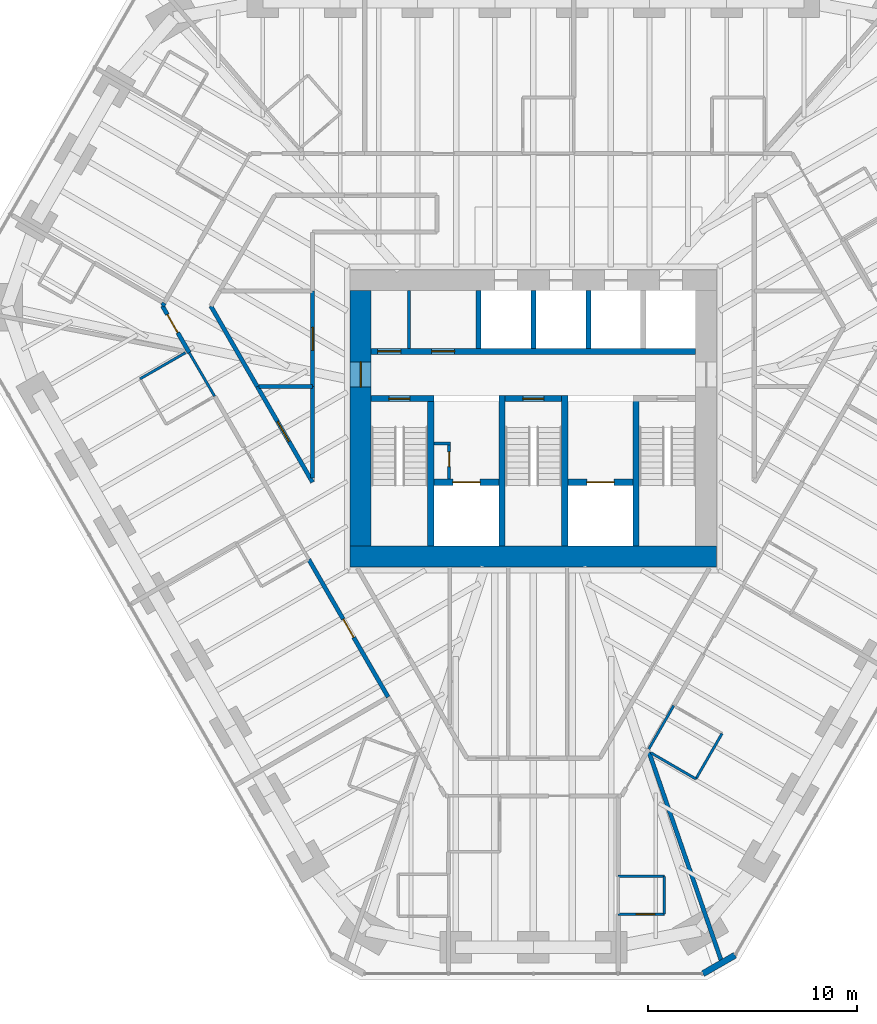
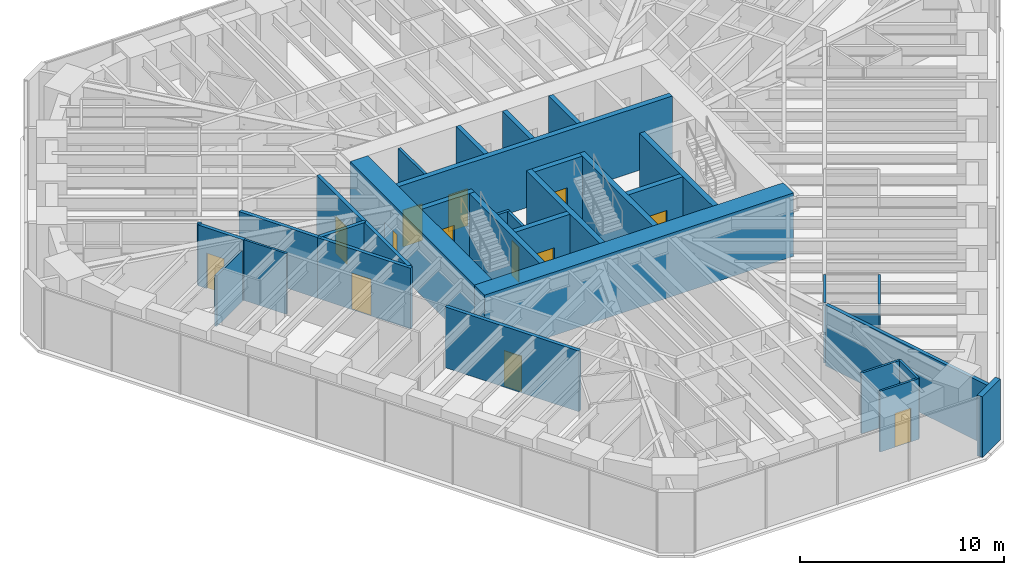
# One storey, part 12 of 16: 35 walls, 13 doors, 13 openings.
"""IFC4 building model written with IfcOpenShell, lengths in metres."""

from ifc_helpers import new_model, si_unit, direction, frame, frame_2d, origin, place, context, subcontext, project, spatial, rectangle, extrude, material, layer, layer_set, type_object, element, fill, save


model = new_model("IFC4")

# Units and contexts
model_context = context("Model", 3, precision=1e-05, world=origin(), true_north=direction((0.0, 1.0)))
body_context = subcontext(model_context, "Body", "Model", "MODEL_VIEW")
ifc_project = project(units=[si_unit("LENGTHUNIT", "METRE"), si_unit("AREAUNIT", "SQUARE_METRE"), si_unit("VOLUMEUNIT", "CUBIC_METRE"), si_unit("PLANEANGLEUNIT", "RADIAN"), si_unit("MASSUNIT", "GRAM", prefix="KILO")], contexts=[model_context])

# Site, building, storey
site_placement = place(None, origin())
site = spatial("IfcSite", under=ifc_project, at=site_placement, CompositionType="ELEMENT")
building_placement = place(site_placement, origin())
building = spatial("IfcBuilding", under=site, at=building_placement, Name="Sandreach Pilgrim Tower", CompositionType="ELEMENT")
storey_placement = place(building_placement, frame((0.0, 0.0, 209.800048828125)))
storey = spatial("IfcBuildingStorey", under=building, at=storey_placement, Name="L52", CompositionType="ELEMENT", Elevation=209.800048828125)

# Walls
ifc_material_1 = material(Name="Gypsum board on steel studs", Category="steel")
ifc_layer_1 = layer(ifc_material_1, 0.14990234375)
ifc_layer_set_1 = layer_set([ifc_layer_1], Name="Back of house wall 150")
wall_type_1 = type_object("IfcWallType", Name="Back of house wall 150", PredefinedType="PARTITIONING", material=ifc_layer_set_1)
wall_1_placement = place(storey_placement, frame((-5.949951171875, 3.35009765625, 0.0), z_axis=(0.0, 0.0, 1.0), x_axis=(0.0, 1.0, 0.0)))
element("IfcWall", 1, at=wall_1_placement, inside=storey, type_object=wall_type_1, Name="Core room partition L52 1", PredefinedType="PARTITIONING", context=body_context, shape_type="SweptSolid", body=[
    extrude(rectangle(XDim=2.75, YDim=0.14990234375, at=frame_2d((1.375, 0.0))), origin(), (0.0, 0.0, 1.0), 3.639892578125),
])
ifc_material_2 = material(Name="Moisture-resistant gypsum board on steel studs", Category="steel")
ifc_layer_2 = layer(ifc_material_2, 0.1201171875)
ifc_layer_set_2 = layer_set([ifc_layer_2], Name="Bathroom partition 120")
wall_type_2 = type_object("IfcWallType", Name="Bathroom partition 120", PredefinedType="PARTITIONING", material=ifc_layer_set_2)
wall_2_placement = place(storey_placement, frame((-16.623779296875, 3.1376953125, 0.0), z_axis=(0.0, 0.0, 1.0), x_axis=(-0.866525185869, -0.499133351175, 0.0)))
element("IfcWall", 2, at=wall_2_placement, inside=storey, type_object=wall_type_2, Name="Bathroom partition L52-020", PredefinedType="PARTITIONING", context=body_context, shape_type="SweptSolid", body=[
    extrude(rectangle(XDim=2.5, YDim=0.1201171875, at=frame_2d((1.25, 0.0))), origin(), (0.0, 0.0, 1.0), 3.0380859375),
])
wall_3_placement = place(storey_placement, frame((-16.43994140625, 3.139892578125, 0.0), z_axis=(0.0, 0.0, 1.0), x_axis=(0.502854986947, -0.864370789709, 0.0)))
element("IfcWall", 3, at=wall_3_placement, inside=storey, type_object=wall_type_2, Name="Bathroom partition L52-022", PredefinedType="PARTITIONING", context=body_context, shape_type="SweptSolid", body=[
    extrude(rectangle(XDim=2.40625, YDim=0.1201171875, at=frame_2d((1.203125, 0.0))), origin(), (0.0, 0.0, 1.0), 3.639892578125),
])

# Wall, opening, door
wall_4_placement = place(storey_placement, frame((4.050048828125, -23.679931640625, 0.0), z_axis=(0.0, 0.0, 1.0), x_axis=(1.0, 0.0, 0.0)))
wall_4 = element("IfcWall", 4, at=wall_4_placement, inside=storey, type_object=wall_type_2, Name="Bathroom partition L52-091", PredefinedType="PARTITIONING", context=body_context, shape_type="SweptSolid", body=[
    extrude(rectangle(XDim=2.199951171875, YDim=0.1201171875, at=frame_2d((1.10009765625, 0.0))), origin(), (0.0, 0.0, 1.0), 3.639892578125),
])
opening_1_placement = place(wall_4_placement, frame((0.85009765625, 0.0, 0.0)))
opening_1 = element("IfcOpeningElement", 5, at=opening_1_placement, cuts=wall_4, Name="Opening D09-09B", PredefinedType="OPENING", context=body_context, shape_type="SweptSolid", body=[
    extrude(rectangle(XDim=0.89990234375, YDim=2.030029296875, at=frame_2d((0.449951171875, 1.01513671875))), frame((0.0, 0.06005859375, 0.0), z_axis=(0.0, -1.0, 0.0), x_axis=(1.0, 0.0, 0.0)), (0.0, 0.0, 1.0), 0.1201171875),
])
ifc_material_3 = material(Name="Timber door, steel frame", Category="steel")
door_type_1 = type_object("IfcDoorType", Name="Bathroom door", OperationType="SINGLE_SWING_LEFT", PredefinedType="DOOR", material=ifc_material_3)
door_1_placement = place(opening_1_placement, origin())
door_1 = element("IfcDoor", 6, at=door_1_placement, inside=storey, type_object=door_type_1, Name="Door 5209B", OperationType="SINGLE_SWING_RIGHT", OverallHeight=2.030029296875, OverallWidth=0.89990234375, PredefinedType="DOOR", context=body_context, shape_type="SweptSolid", body=[
    extrude(rectangle(XDim=0.89990234375, YDim=2.030029296875, at=frame_2d((0.449951171875, 1.01513671875))), frame((0.0, 0.02490234375, 0.0), z_axis=(0.0, -1.0, 0.0), x_axis=(1.0, 0.0, 0.0)), (0.0, 0.0, 1.0), 0.050048828125),
])
fill(opening_1, door_1)

# Walls
wall_5_placement = place(storey_placement, frame((5.510009765625, -15.7900390625, 0.0), z_axis=(0.0, 0.0, 1.0), x_axis=(0.49836161924, 0.866969259241, 0.0)))
element("IfcWall", 7, at=wall_5_placement, inside=storey, type_object=wall_type_2, Name="Bathroom partition L52-095", PredefinedType="PARTITIONING", context=body_context, shape_type="SweptSolid", body=[
    extrude(rectangle(XDim=2.3876953125, YDim=0.1201171875, at=frame_2d((1.19384765625, 0.0))), origin(), (0.0, 0.0, 1.0), 3.639892578125),
])
wall_6_placement = place(storey_placement, frame((5.615234375, -15.97509765625, 0.0), z_axis=(0.0, 0.0, 1.0), x_axis=(0.864873056518, -0.501990633487, 0.0)))
element("IfcWall", 8, at=wall_6_placement, inside=storey, type_object=wall_type_2, Name="Bathroom partition L52-097", PredefinedType="PARTITIONING", context=body_context, shape_type="SweptSolid", body=[
    extrude(rectangle(XDim=2.47998046875, YDim=0.1201171875, at=frame_2d((1.239990234375, 0.0))), origin(), (0.0, 0.0, 1.0), 3.0380859375),
])
wall_7_placement = place(storey_placement, frame((6.25, -23.679931640625, 0.0), z_axis=(0.0, 0.0, 1.0), x_axis=(0.0, 1.0, 0.0)))
element("IfcWall", 9, at=wall_7_placement, inside=storey, type_object=wall_type_2, Name="Bathroom partition L52-098", PredefinedType="PARTITIONING", context=body_context, shape_type="SweptSolid", body=[
    extrude(rectangle(XDim=1.809814453125, YDim=0.1201171875, at=frame_2d((0.90478515625, 0.0))), origin(), (0.0, 0.0, 1.0), 3.639892578125),
])
wall_8_placement = place(storey_placement, frame((6.25, -21.8701171875, 0.0), z_axis=(0.0, 0.0, 1.0), x_axis=(-1.0, 0.0, 0.0)))
element("IfcWall", 10, at=wall_8_placement, inside=storey, type_object=wall_type_2, Name="Bathroom partition L52-099", PredefinedType="PARTITIONING", context=body_context, shape_type="SweptSolid", body=[
    extrude(rectangle(XDim=2.199951171875, YDim=0.1201171875, at=frame_2d((1.10009765625, 0.0))), origin(), (0.0, 0.0, 1.0), 3.639892578125),
])
wall_9_placement = place(storey_placement, frame((7.760009765625, -17.219970703125, 0.0), z_axis=(0.0, 0.0, 1.0), x_axis=(0.499159685399, 0.866510016372, 0.0)))
element("IfcWall", 11, at=wall_9_placement, inside=storey, type_object=wall_type_2, Name="Bathroom partition L52-101", PredefinedType="PARTITIONING", context=body_context, shape_type="SweptSolid", body=[
    extrude(rectangle(XDim=2.504150390625, YDim=0.1201171875, at=frame_2d((1.251953125, 0.0))), origin(), (0.0, 0.0, 1.0), 3.639892578125),
])
ifc_material_4 = material(Name="Concrete 10000 psi", Category="concrete")
ifc_layer_3 = layer(ifc_material_4, 0.300048828125)
ifc_layer_set_3 = layer_set([ifc_layer_3], Name="Core inner wall 300")
wall_type_3 = type_object("IfcWallType", Name="Core inner wall 300", PredefinedType="SHEAR", material=ifc_layer_set_3)
for number, where, z_axis, x_axis, name in (
    (12, (-4.89990234375, -6.10009765625, 0.0), (0.0, 0.0, 1.0), (0.0, 1.0, 0.0), "Core wall I0 L52"),
    (13, (-1.5, -6.10009765625, 0.0), (0.0, 0.0, 1.0), (0.0, 1.0, 0.0), "Core wall I1 L52"),
    (14, (1.5, -6.10009765625, 0.0), (0.0, 0.0, 1.0), (0.0, 1.0, 0.0), "Core wall I2 L52"),
    (15, (4.89990234375, -6.10009765625, 0.0), (0.0, 0.0, 1.0), (0.0, 1.0, 0.0), "Core wall I3 L52"),
):
    element("IfcWall", number, at=place(storey_placement, frame(where, z_axis=z_axis, x_axis=x_axis)), inside=storey, type_object=wall_type_3, Name=name, PredefinedType="SHEAR", context=body_context, shape_type="SweptSolid", body=[
        extrude(rectangle(XDim=7.2001953125, YDim=0.300048828125, at=frame_2d((3.60009765625, 0.0))), origin(), (0.0, 0.0, 1.0), 3.800048828125),
    ])

# Wall, opening, door
wall_10_placement = place(storey_placement, frame((-7.75, 0.949951171875, 0.0), z_axis=(0.0, 0.0, 1.0), x_axis=(1.0, 0.0, 0.0)))
wall_10 = element("IfcWall", 16, at=wall_10_placement, inside=storey, type_object=wall_type_3, Name="Core wall SN1 L52", PredefinedType="SHEAR", context=body_context, shape_type="SweptSolid", body=[
    extrude(rectangle(XDim=3.0, YDim=0.300048828125, at=frame_2d((1.5, 0.0))), origin(), (0.0, 0.0, 1.0), 3.800048828125),
])
opening_2_placement = place(wall_10_placement, frame((0.85009765625, 0.0, 0.0)))
opening_2 = element("IfcOpeningElement", 17, at=opening_2_placement, cuts=wall_10, Name="Opening D10S-ST1", PredefinedType="OPENING", context=body_context, shape_type="SweptSolid", body=[
    extrude(rectangle(XDim=1.0, YDim=2.199951171875, at=frame_2d((0.5, 1.10009765625))), frame((0.0, 0.14990234375, 0.0), z_axis=(0.0, -1.0, 0.0), x_axis=(1.0, 0.0, 0.0)), (0.0, 0.0, 1.0), 0.300048828125),
])
ifc_material_5 = material(Name="Steel door and frame", Category="steel")
door_type_2 = type_object("IfcDoorType", Name="Stair door", OperationType="SINGLE_SWING_LEFT", PredefinedType="DOOR", material=ifc_material_5)
door_2_placement = place(opening_2_placement, origin())
door_2 = element("IfcDoor", 18, at=door_2_placement, inside=storey, type_object=door_type_2, Name="Stair door ST1 L52", OperationType="SINGLE_SWING_LEFT", OverallHeight=2.199951171875, OverallWidth=1.0, PredefinedType="DOOR", context=body_context, shape_type="SweptSolid", body=[
    extrude(rectangle(XDim=1.0, YDim=2.199951171875, at=frame_2d((0.5, 1.10009765625))), frame((0.0, 0.02490234375, 0.0), z_axis=(0.0, -1.0, 0.0), x_axis=(1.0, 0.0, 0.0)), (0.0, 0.0, 1.0), 0.050048828125),
])
fill(opening_2, door_2)

wall_11_placement = place(storey_placement, frame((-1.35009765625, 0.949951171875, 0.0), z_axis=(0.0, 0.0, 1.0), x_axis=(1.0, 0.0, 0.0)))
wall_11 = element("IfcWall", 19, at=wall_11_placement, inside=storey, type_object=wall_type_3, Name="Core wall SN3 L52", PredefinedType="SHEAR", context=body_context, shape_type="SweptSolid", body=[
    extrude(rectangle(XDim=2.7001953125, YDim=0.300048828125, at=frame_2d((1.35009765625, 0.0))), origin(), (0.0, 0.0, 1.0), 3.800048828125),
])
opening_3_placement = place(wall_11_placement, frame((0.85009765625, 0.0, 0.0)))
opening_3 = element("IfcOpeningElement", 20, at=opening_3_placement, cuts=wall_11, Name="Opening D10S-ST3", PredefinedType="OPENING", context=body_context, shape_type="SweptSolid", body=[
    extrude(rectangle(XDim=1.0, YDim=2.199951171875, at=frame_2d((0.5, 1.10009765625))), frame((0.0, 0.14990234375, 0.0), z_axis=(0.0, -1.0, 0.0), x_axis=(1.0, 0.0, 0.0)), (0.0, 0.0, 1.0), 0.300048828125),
])
door_3_placement = place(opening_3_placement, origin())
door_3 = element("IfcDoor", 21, at=door_3_placement, inside=storey, type_object=door_type_2, Name="Stair door ST3 L52", OperationType="SINGLE_SWING_LEFT", OverallHeight=2.199951171875, OverallWidth=1.0, PredefinedType="DOOR", context=body_context, shape_type="SweptSolid", body=[
    extrude(rectangle(XDim=1.0, YDim=2.199951171875, at=frame_2d((0.5, 1.10009765625))), frame((0.0, 0.02490234375, 0.0), z_axis=(0.0, -1.0, 0.0), x_axis=(1.0, 0.0, 0.0)), (0.0, 0.0, 1.0), 0.050048828125),
])
fill(opening_3, door_3)

wall_12_placement = place(storey_placement, frame((-4.75, -3.050048828125, 0.0), z_axis=(0.0, 0.0, 1.0), x_axis=(1.0, 0.0, 0.0)))
wall_12 = element("IfcWall", 22, at=wall_12_placement, inside=storey, type_object=wall_type_3, Name="Core wall FL1 L52", PredefinedType="SHEAR", context=body_context, shape_type="SweptSolid", body=[
    extrude(rectangle(XDim=3.10009765625, YDim=0.300048828125, at=frame_2d((1.550048828125, 0.0))), origin(), (0.0, 0.0, 1.0), 3.800048828125),
])
opening_4_placement = place(wall_12_placement, frame((0.89990234375, 0.0, 0.0)))
opening_4 = element("IfcOpeningElement", 23, at=opening_4_placement, cuts=wall_12, Name="Opening LD13", PredefinedType="OPENING", context=body_context, shape_type="SweptSolid", body=[
    extrude(rectangle(XDim=1.300048828125, YDim=2.10009765625, at=frame_2d((0.64990234375, 1.050048828125))), frame((0.0, 0.14990234375, 0.0), z_axis=(0.0, -1.0, 0.0), x_axis=(1.0, 0.0, 0.0)), (0.0, 0.0, 1.0), 0.300048828125),
])
ifc_material_6 = material(Name="Steel door and frame", Category="steel")
door_type_3 = type_object("IfcDoorType", Name="Fire service lift landing door", OperationType="DOUBLE_DOOR_SLIDING", PredefinedType="DOOR", material=ifc_material_6)
door_4_placement = place(opening_4_placement, origin())
door_4 = element("IfcDoor", 24, at=door_4_placement, inside=storey, type_object=door_type_3, Name="Lift landing door FS1 L52", OperationType="DOUBLE_DOOR_SLIDING", OverallHeight=2.10009765625, OverallWidth=1.300048828125, PredefinedType="DOOR", context=body_context, shape_type="SweptSolid", body=[
    extrude(rectangle(XDim=1.300048828125, YDim=2.10009765625, at=frame_2d((0.64990234375, 1.050048828125))), frame((0.0, 0.02490234375, 0.0), z_axis=(0.0, -1.0, 0.0), x_axis=(1.0, 0.0, 0.0)), (0.0, 0.0, 1.0), 0.050048828125),
])
fill(opening_4, door_4)

wall_13_placement = place(storey_placement, frame((1.64990234375, -3.050048828125, 0.0), z_axis=(0.0, 0.0, 1.0), x_axis=(1.0, 0.0, 0.0)))
wall_13 = element("IfcWall", 25, at=wall_13_placement, inside=storey, type_object=wall_type_3, Name="Core wall FL2 L52", PredefinedType="SHEAR", context=body_context, shape_type="SweptSolid", body=[
    extrude(rectangle(XDim=3.10009765625, YDim=0.300048828125, at=frame_2d((1.550048828125, 0.0))), origin(), (0.0, 0.0, 1.0), 3.800048828125),
])
opening_5_placement = place(wall_13_placement, frame((0.89990234375, 0.0, 0.0)))
opening_5 = element("IfcOpeningElement", 26, at=opening_5_placement, cuts=wall_13, Name="Opening LD13", PredefinedType="OPENING", context=body_context, shape_type="SweptSolid", body=[
    extrude(rectangle(XDim=1.300048828125, YDim=2.10009765625, at=frame_2d((0.64990234375, 1.050048828125))), frame((0.0, 0.14990234375, 0.0), z_axis=(0.0, -1.0, 0.0), x_axis=(1.0, 0.0, 0.0)), (0.0, 0.0, 1.0), 0.300048828125),
])
door_5_placement = place(opening_5_placement, origin())
door_5 = element("IfcDoor", 27, at=door_5_placement, inside=storey, type_object=door_type_3, Name="Lift landing door FS2 L52", OperationType="DOUBLE_DOOR_SLIDING", OverallHeight=2.10009765625, OverallWidth=1.300048828125, PredefinedType="DOOR", context=body_context, shape_type="SweptSolid", body=[
    extrude(rectangle(XDim=1.300048828125, YDim=2.10009765625, at=frame_2d((0.64990234375, 1.050048828125))), frame((0.0, 0.02490234375, 0.0), z_axis=(0.0, -1.0, 0.0), x_axis=(1.0, 0.0, 0.0)), (0.0, 0.0, 1.0), 0.050048828125),
])
fill(opening_5, door_5)

# Wall, openings, doors
wall_14_placement = place(storey_placement, frame((-7.75, 3.199951171875, 0.0), z_axis=(0.0, 0.0, 1.0), x_axis=(1.0, 0.0, 0.0)))
wall_14 = element("IfcWall", 28, at=wall_14_placement, inside=storey, type_object=wall_type_3, Name="Core wall PN L52", PredefinedType="SHEAR", context=body_context, shape_type="SweptSolid", body=[
    extrude(rectangle(XDim=15.5, YDim=0.300048828125, at=frame_2d((7.75, 0.0))), origin(), (0.0, 0.0, 1.0), 3.800048828125),
])
opening_6_placement = place(wall_14_placement, frame((0.3125, 0.0, 0.0)))
opening_6 = element("IfcOpeningElement", 29, at=opening_6_placement, cuts=wall_14, Name="Opening D11L", PredefinedType="OPENING", context=body_context, shape_type="SweptSolid", body=[
    extrude(rectangle(XDim=1.10009765625, YDim=2.199951171875, at=frame_2d((0.550048828125, 1.10009765625))), frame((0.0, 0.14990234375, 0.0), z_axis=(0.0, -1.0, 0.0), x_axis=(1.0, 0.0, 0.0)), (0.0, 0.0, 1.0), 0.300048828125),
])
opening_7_placement = place(wall_14_placement, frame((2.887451171875, 0.0, 0.0)))
opening_7 = element("IfcOpeningElement", 30, at=opening_7_placement, cuts=wall_14, Name="Opening D11L", PredefinedType="OPENING", context=body_context, shape_type="SweptSolid", body=[
    extrude(rectangle(XDim=1.10009765625, YDim=2.199951171875, at=frame_2d((0.550048828125, 1.10009765625))), frame((0.0, 0.14990234375, 0.0), z_axis=(0.0, -1.0, 0.0), x_axis=(1.0, 0.0, 0.0)), (0.0, 0.0, 1.0), 0.300048828125),
])
ifc_material_7 = material(Name="Steel door and frame, smoke seals", Category="steel")
door_type_4 = type_object("IfcDoorType", Name="Core room door", OperationType="SINGLE_SWING_LEFT", PredefinedType="DOOR", material=ifc_material_7)
door_6_placement = place(opening_6_placement, origin())
door_6 = element("IfcDoor", 31, at=door_6_placement, inside=storey, type_object=door_type_4, Name="Door linen and housekeeping store 52K1", OperationType="SINGLE_SWING_LEFT", OverallHeight=2.199951171875, OverallWidth=1.10009765625, PredefinedType="DOOR", context=body_context, shape_type="SweptSolid", body=[
    extrude(rectangle(XDim=1.10009765625, YDim=2.199951171875, at=frame_2d((0.550048828125, 1.10009765625))), frame((0.0, 0.02490234375, 0.0), z_axis=(0.0, -1.0, 0.0), x_axis=(1.0, 0.0, 0.0)), (0.0, 0.0, 1.0), 0.050048828125),
])
fill(opening_6, door_6)
door_7_placement = place(opening_7_placement, origin())
door_7 = element("IfcDoor", 32, at=door_7_placement, inside=storey, type_object=door_type_4, Name="Door cleaners store 52K2", OperationType="SINGLE_SWING_LEFT", OverallHeight=2.199951171875, OverallWidth=1.10009765625, PredefinedType="DOOR", context=body_context, shape_type="SweptSolid", body=[
    extrude(rectangle(XDim=1.10009765625, YDim=2.199951171875, at=frame_2d((0.550048828125, 1.10009765625))), frame((0.0, 0.02490234375, 0.0), z_axis=(0.0, -1.0, 0.0), x_axis=(1.0, 0.0, 0.0)), (0.0, 0.0, 1.0), 0.050048828125),
])
fill(opening_7, door_7)

# Wall
ifc_material_8 = material(Name="Concrete 10000 psi", Category="concrete")
ifc_layer_4 = layer(ifc_material_8, 1.0)
ifc_layer_set_4 = layer_set([ifc_layer_4], Name="Core wall 1000")
wall_type_4 = type_object("IfcWallType", Name="Core wall 1000", PredefinedType="SHEAR", material=ifc_layer_set_4)
wall_15_placement = place(storey_placement, frame((-8.75, -6.60009765625, 0.0), z_axis=(0.0, 0.0, 1.0), x_axis=(1.0, 0.0, 0.0)))
element("IfcWall", 33, at=wall_15_placement, inside=storey, type_object=wall_type_4, Name="Core wall S L52", PredefinedType="SHEAR", context=body_context, shape_type="SweptSolid", body=[
    extrude(rectangle(XDim=17.5, YDim=1.0, at=frame_2d((8.75, 0.0))), origin(), (0.0, 0.0, 1.0), 3.800048828125),
])

# Wall, opening, door
wall_16_placement = place(storey_placement, frame((-8.25, -6.10009765625, 0.0), z_axis=(0.0, 0.0, 1.0), x_axis=(0.0, 1.0, 0.0)))
wall_16 = element("IfcWall", 34, at=wall_16_placement, inside=storey, type_object=wall_type_4, Name="Core wall W L52", PredefinedType="SHEAR", context=body_context, shape_type="SweptSolid", body=[
    extrude(rectangle(XDim=12.2001953125, YDim=1.0, at=frame_2d((6.10009765625, 0.0))), origin(), (0.0, 0.0, 1.0), 3.800048828125),
])
opening_8_placement = place(wall_16_placement, frame((7.60009765625, 0.0, 0.0)))
opening_8 = element("IfcOpeningElement", 35, at=opening_8_placement, cuts=wall_16, Name="Opening D12F-W", PredefinedType="OPENING", context=body_context, shape_type="SweptSolid", body=[
    extrude(rectangle(XDim=1.199951171875, YDim=2.199951171875, at=frame_2d((0.60009765625, 1.10009765625))), frame((0.0, 0.5, 0.0), z_axis=(0.0, -1.0, 0.0), x_axis=(1.0, 0.0, 0.0)), (0.0, 0.0, 1.0), 1.0),
])
ifc_material_9 = material(Name="Steel door and frame", Category="steel")
door_type_5 = type_object("IfcDoorType", Name="Fire lobby door", OperationType="SINGLE_SWING_LEFT", PredefinedType="DOOR", material=ifc_material_9)
door_8_placement = place(opening_8_placement, origin())
door_8 = element("IfcDoor", 36, at=door_8_placement, inside=storey, type_object=door_type_5, Name="Fire service lobby door W L52", OperationType="SINGLE_SWING_RIGHT", OverallHeight=2.199951171875, OverallWidth=1.199951171875, PredefinedType="DOOR", context=body_context, shape_type="SweptSolid", body=[
    extrude(rectangle(XDim=1.199951171875, YDim=2.199951171875, at=frame_2d((0.60009765625, 1.10009765625))), frame((0.0, 0.02490234375, 0.0), z_axis=(0.0, -1.0, 0.0), x_axis=(1.0, 0.0, 0.0)), (0.0, 0.0, 1.0), 0.050048828125),
])
fill(opening_8, door_8)

# Wall
ifc_material_10 = material(Name="Gypsum board on steel studs, two layers each side", Category="steel")
ifc_layer_5 = layer(ifc_material_10, 0.199951171875)
ifc_layer_set_5 = layer_set([ifc_layer_5], Name="Corridor wall 200")
wall_type_5 = type_object("IfcWallType", Name="Corridor wall 200", PredefinedType="PARTITIONING", material=ifc_layer_set_5)
wall_17_placement = place(storey_placement, frame((-17.6298828125, 5.510009765625, 0.0), z_axis=(0.0, 0.0, 1.0), x_axis=(-0.541424846284, -0.840749151547, 0.0)))
element("IfcWall", 37, at=wall_17_placement, inside=storey, type_object=wall_type_5, Name="Corridor wall L52-014", PredefinedType="PARTITIONING", context=body_context, shape_type="SweptSolid", body=[
    extrude(rectangle(XDim=0.16650390625, YDim=0.199951171875, at=frame_2d((0.083251953125, 0.0))), origin(), (0.0, 0.0, 1.0), 3.639892578125),
])

# Wall, opening, door
wall_18_placement = place(storey_placement, frame((-16.43994140625, 3.139892578125, 0.0), z_axis=(0.0, 0.0, 1.0), x_axis=(-0.497825198029, 0.867277390578, 0.0)))
wall_18 = element("IfcWall", 38, at=wall_18_placement, inside=storey, type_object=wall_type_5, Name="Corridor wall L52-021", PredefinedType="PARTITIONING", context=body_context, shape_type="SweptSolid", body=[
    extrude(rectangle(XDim=2.5712890625, YDim=0.199951171875, at=frame_2d((1.28564453125, 0.0))), origin(), (0.0, 0.0, 1.0), 3.639892578125),
])
opening_9_placement = place(wall_18_placement, frame((1.10009765625, 0.0, 0.0)))
opening_9 = element("IfcOpeningElement", 39, at=opening_9_placement, cuts=wall_18, Name="Opening D10-15", PredefinedType="OPENING", context=body_context, shape_type="SweptSolid", body=[
    extrude(rectangle(XDim=1.0, YDim=2.1298828125, at=frame_2d((0.5, 1.06494140625))), frame((0.0, 0.10009765625, 0.0), z_axis=(0.0, -1.0, 0.0), x_axis=(1.0, 0.0, 0.0)), (0.0, 0.0, 1.0), 0.199951171875),
])
ifc_material_11 = material(Name="Steel door and frame", Category="steel")
door_type_6 = type_object("IfcDoorType", Name="Guest room entry door", OperationType="SINGLE_SWING_LEFT", PredefinedType="DOOR", material=ifc_material_11)
door_9_placement = place(opening_9_placement, origin())
door_9 = element("IfcDoor", 40, at=door_9_placement, inside=storey, type_object=door_type_6, Name="Door 5215", OperationType="SINGLE_SWING_RIGHT", OverallHeight=2.1298828125, OverallWidth=1.0, PredefinedType="DOOR", context=body_context, shape_type="SweptSolid", body=[
    extrude(rectangle(XDim=1.0, YDim=2.1298828125, at=frame_2d((0.5, 1.06494140625))), frame((0.0, 0.02490234375, 0.0), z_axis=(0.0, -1.0, 0.0), x_axis=(1.0, 0.0, 0.0)), (0.0, 0.0, 1.0), 0.050048828125),
])
fill(opening_9, door_9)

# Wall
wall_19_placement = place(storey_placement, frame((-13.18994140625, 1.52001953125, 0.0), z_axis=(0.0, 0.0, 1.0), x_axis=(-0.499513190454, 0.866306281036, 0.0)))
element("IfcWall", 41, at=wall_19_placement, inside=storey, type_object=wall_type_5, Name="Corridor wall L52-035", PredefinedType="PARTITIONING", context=body_context, shape_type="SweptSolid", body=[
    extrude(rectangle(XDim=4.4443359375, YDim=0.199951171875, at=frame_2d((2.22216796875, 0.0))), origin(), (0.0, 0.0, 1.0), 3.639892578125),
])

# Wall, opening, door
wall_20_placement = place(storey_placement, frame((-10.72998046875, -6.739990234375, 0.0), z_axis=(0.0, 0.0, 1.0), x_axis=(0.499684370586, -0.866207555839, 0.0)))
wall_20 = element("IfcWall", 42, at=wall_20_placement, inside=storey, type_object=wall_type_5, Name="Corridor wall L52-044", PredefinedType="PARTITIONING", context=body_context, shape_type="SweptSolid", body=[
    extrude(rectangle(XDim=7.5849609375, YDim=0.199951171875, at=frame_2d((3.79248046875, 0.0))), origin(), (0.0, 0.0, 1.0), 3.639892578125),
])
opening_10_placement = place(wall_20_placement, frame((3.29248046875, 0.0, 0.0)))
opening_10 = element("IfcOpeningElement", 43, at=opening_10_placement, cuts=wall_20, Name="Opening D10-13", PredefinedType="OPENING", context=body_context, shape_type="SweptSolid", body=[
    extrude(rectangle(XDim=1.0, YDim=2.1298828125, at=frame_2d((0.5, 1.06494140625))), frame((0.0, 0.10009765625, 0.0), z_axis=(0.0, -1.0, 0.0), x_axis=(1.0, 0.0, 0.0)), (0.0, 0.0, 1.0), 0.199951171875),
])
door_10_placement = place(opening_10_placement, origin())
door_10 = element("IfcDoor", 44, at=door_10_placement, inside=storey, type_object=door_type_6, Name="Door 5213", OperationType="SINGLE_SWING_LEFT", OverallHeight=2.1298828125, OverallWidth=1.0, PredefinedType="DOOR", context=body_context, shape_type="SweptSolid", body=[
    extrude(rectangle(XDim=1.0, YDim=2.1298828125, at=frame_2d((0.5, 1.06494140625))), frame((0.0, 0.02490234375, 0.0), z_axis=(0.0, -1.0, 0.0), x_axis=(1.0, 0.0, 0.0)), (0.0, 0.0, 1.0), 0.050048828125),
])
fill(opening_10, door_10)

wall_21_placement = place(storey_placement, frame((-10.550048828125, -3.050048828125, 0.0), z_axis=(0.0, 0.0, 1.0), x_axis=(-0.500193590286, 0.865913605527, 0.0)))
wall_21 = element("IfcWall", 45, at=wall_21_placement, inside=storey, type_object=wall_type_5, Name="Corridor wall L52-046", PredefinedType="PARTITIONING", context=body_context, shape_type="SweptSolid", body=[
    extrude(rectangle(XDim=5.27783203125, YDim=0.199951171875, at=frame_2d((2.638916015625, 0.0))), origin(), (0.0, 0.0, 1.0), 3.639892578125),
])
opening_11_placement = place(wall_21_placement, frame((2.25, 0.0, 0.0)))
opening_11 = element("IfcOpeningElement", 46, at=opening_11_placement, cuts=wall_21, Name="Opening D11H-M02", PredefinedType="OPENING", context=body_context, shape_type="SweptSolid", body=[
    extrude(rectangle(XDim=1.10009765625, YDim=2.199951171875, at=frame_2d((0.550048828125, 1.10009765625))), frame((0.0, 0.10009765625, 0.0), z_axis=(0.0, -1.0, 0.0), x_axis=(1.0, 0.0, 0.0)), (0.0, 0.0, 1.0), 0.199951171875),
])
ifc_material_12 = material(Name="Steel door and frame", Category="steel")
door_type_7 = type_object("IfcDoorType", Name="Back of house door", OperationType="SINGLE_SWING_LEFT", PredefinedType="DOOR", material=ifc_material_12)
door_11_placement = place(opening_11_placement, origin())
door_11 = element("IfcDoor", 47, at=door_11_placement, inside=storey, type_object=door_type_7, Name="Door 52M02", OperationType="SINGLE_SWING_RIGHT", OverallHeight=2.199951171875, OverallWidth=1.10009765625, PredefinedType="DOOR", context=body_context, shape_type="SweptSolid", body=[
    extrude(rectangle(XDim=1.10009765625, YDim=2.199951171875, at=frame_2d((0.550048828125, 1.10009765625))), frame((0.0, 0.02490234375, 0.0), z_axis=(0.0, -1.0, 0.0), x_axis=(1.0, 0.0, 0.0)), (0.0, 0.0, 1.0), 0.050048828125),
])
fill(opening_11, door_11)

# Wall
wall_22_placement = place(storey_placement, frame((-10.550048828125, 1.52001953125, 0.0), z_axis=(0.0, 0.0, 1.0), x_axis=(0.0, -1.0, 0.0)))
element("IfcWall", 48, at=wall_22_placement, inside=storey, type_object=wall_type_5, Name="Corridor wall L52-047", PredefinedType="PARTITIONING", context=body_context, shape_type="SweptSolid", body=[
    extrude(rectangle(XDim=4.375, YDim=0.199951171875, at=frame_2d((2.1875, 0.0))), origin(), (0.0, 0.0, 1.0), 3.639892578125),
])

# Wall, opening, door
wall_23_placement = place(storey_placement, frame((-10.550048828125, 6.090087890625, 0.0), z_axis=(0.0, 0.0, 1.0), x_axis=(0.0, -1.0, 0.0)))
wall_23 = element("IfcWall", 49, at=wall_23_placement, inside=storey, type_object=wall_type_5, Name="Corridor wall L52-048", PredefinedType="PARTITIONING", context=body_context, shape_type="SweptSolid", body=[
    extrude(rectangle(XDim=4.570068359375, YDim=0.199951171875, at=frame_2d((2.28515625, 0.0))), origin(), (0.0, 0.0, 1.0), 3.639892578125),
])
opening_12_placement = place(wall_23_placement, frame((1.735107421875, 0.0, 0.0)))
opening_12 = element("IfcOpeningElement", 50, at=opening_12_placement, cuts=wall_23, Name="Opening D11H-M01", PredefinedType="OPENING", context=body_context, shape_type="SweptSolid", body=[
    extrude(rectangle(XDim=1.10009765625, YDim=2.199951171875, at=frame_2d((0.550048828125, 1.10009765625))), frame((0.0, 0.10009765625, 0.0), z_axis=(0.0, -1.0, 0.0), x_axis=(1.0, 0.0, 0.0)), (0.0, 0.0, 1.0), 0.199951171875),
])
door_12_placement = place(opening_12_placement, origin())
door_12 = element("IfcDoor", 51, at=door_12_placement, inside=storey, type_object=door_type_7, Name="Door 52M01", OperationType="SINGLE_SWING_LEFT", OverallHeight=2.199951171875, OverallWidth=1.10009765625, PredefinedType="DOOR", context=body_context, shape_type="SweptSolid", body=[
    extrude(rectangle(XDim=1.10009765625, YDim=2.199951171875, at=frame_2d((0.550048828125, 1.10009765625))), frame((0.0, 0.02490234375, 0.0), z_axis=(0.0, -1.0, 0.0), x_axis=(1.0, 0.0, 0.0)), (0.0, 0.0, 1.0), 0.050048828125),
])
fill(opening_12, door_12)

# Walls
ifc_material_13 = material(Name="Double steel stud acoustic wall, gypsum board", Category="steel")
ifc_layer_6 = layer(ifc_material_13, 0.199951171875)
ifc_layer_set_6 = layer_set([ifc_layer_6], Name="Party wall 200")
wall_type_6 = type_object("IfcWallType", Name="Party wall 200", PredefinedType="PARTITIONING", material=ifc_layer_set_6)
wall_24_placement = place(storey_placement, frame((-10.56005859375, 1.52001953125, 0.0), z_axis=(0.0, 0.0, 1.0), x_axis=(-1.0, 0.0, 0.0)))
element("IfcWall", 52, at=wall_24_placement, inside=storey, type_object=wall_type_6, Name="Party wall L52-045", PredefinedType="PARTITIONING", context=body_context, shape_type="SweptSolid", body=[
    extrude(rectangle(XDim=2.56005859375, YDim=0.199951171875, at=frame_2d((1.280029296875, 0.0))), origin(), (0.0, 0.0, 1.0), 3.639892578125),
])
wall_25_placement = place(storey_placement, frame((5.52197265625, -15.950927734375, 0.0), z_axis=(0.0, 0.0, 1.0), x_axis=(0.327588517074, -0.944820492729, 0.0)))
element("IfcWall", 53, at=wall_25_placement, inside=storey, type_object=wall_type_6, Name="Party wall L52-096", PredefinedType="PARTITIONING", context=body_context, shape_type="SweptSolid", body=[
    extrude(rectangle(XDim=10.6484375, YDim=0.199951171875, at=frame_2d((5.32421875, 0.0))), origin(), (0.0, 0.0, 1.0), 3.639892578125),
])

# Wall, opening, door
ifc_material_14 = material(Name="Gypsum shaft wall on steel studs, shaft liner board", Category="steel")
ifc_layer_7 = layer(ifc_material_14, 0.14990234375)
ifc_layer_set_7 = layer_set([ifc_layer_7], Name="Riser shaft wall 150")
wall_type_7 = type_object("IfcWallType", Name="Riser shaft wall 150", PredefinedType="PARTITIONING", material=ifc_layer_set_7)
wall_26_placement = place(storey_placement, frame((-4.02490234375, -2.89990234375, 0.0), z_axis=(0.0, 0.0, 1.0), x_axis=(0.0, 1.0, 0.0)))
wall_26 = element("IfcWall", 54, at=wall_26_placement, inside=storey, type_object=wall_type_7, Name="Riser partition L52 side", PredefinedType="PARTITIONING", context=body_context, shape_type="SweptSolid", body=[
    extrude(rectangle(XDim=1.77490234375, YDim=0.14990234375, at=frame_2d((0.887451171875, 0.0))), origin(), (0.0, 0.0, 1.0), 3.639892578125),
])
opening_13_placement = place(wall_26_placement, frame((0.60009765625, 0.0, 0.0)))
opening_13 = element("IfcOpeningElement", 55, at=opening_13_placement, cuts=wall_26, Name="Opening D07R", PredefinedType="OPENING", context=body_context, shape_type="SweptSolid", body=[
    extrude(rectangle(XDim=0.699951171875, YDim=2.10009765625, at=frame_2d((0.35009765625, 1.050048828125))), frame((0.0, 0.074951171875, 0.0), z_axis=(0.0, -1.0, 0.0), x_axis=(1.0, 0.0, 0.0)), (0.0, 0.0, 1.0), 0.14990234375),
])
ifc_material_15 = material(Name="Steel door and frame, smoke seals", Category="steel")
door_type_8 = type_object("IfcDoorType", Name="Riser access door", OperationType="SINGLE_SWING_RIGHT", PredefinedType="DOOR", material=ifc_material_15)
door_13_placement = place(opening_13_placement, origin())
door_13 = element("IfcDoor", 56, at=door_13_placement, inside=storey, type_object=door_type_8, Name="Door riser 52ER", OperationType="SINGLE_SWING_RIGHT", OverallHeight=2.10009765625, OverallWidth=0.699951171875, PredefinedType="DOOR", context=body_context, shape_type="SweptSolid", body=[
    extrude(rectangle(XDim=0.699951171875, YDim=2.10009765625, at=frame_2d((0.35009765625, 1.050048828125))), frame((0.0, 0.02490234375, 0.0), z_axis=(0.0, -1.0, 0.0), x_axis=(1.0, 0.0, 0.0)), (0.0, 0.0, 1.0), 0.050048828125),
])
fill(opening_13, door_13)

# Walls
wall_27_placement = place(storey_placement, frame((-4.75, -1.199951171875, 0.0), z_axis=(0.0, 0.0, 1.0), x_axis=(1.0, 0.0, 0.0)))
element("IfcWall", 57, at=wall_27_placement, inside=storey, type_object=wall_type_7, Name="Riser partition L52 front", PredefinedType="PARTITIONING", context=body_context, shape_type="SweptSolid", body=[
    extrude(rectangle(XDim=0.800048828125, YDim=0.14990234375, at=frame_2d((0.39990234375, 0.0))), origin(), (0.0, 0.0, 1.0), 3.639892578125),
])
ifc_material_16 = material(Name="Gypsum shaft wall on steel studs, two layers of shaft liner board", Category="steel")
ifc_layer_8 = layer(ifc_material_16, 0.25)
ifc_layer_set_8 = layer_set([ifc_layer_8], Name="Shaft partition 250")
wall_type_8 = type_object("IfcWallType", Name="Shaft partition 250", PredefinedType="PARTITIONING", material=ifc_layer_set_8)
for number, where, z_axis, x_axis, name in (
    (58, (-2.625, 3.35009765625, 0.0), (0.0, 0.0, 1.0), (0.0, 1.0, 0.0), "Shaft partition NS1 L52"),
    (59, (0.0, 3.35009765625, 0.0), (0.0, 0.0, 1.0), (0.0, 1.0, 0.0), "Shaft partition NS2 L52"),
    (60, (2.625, 3.35009765625, 0.0), (0.0, 0.0, 1.0), (0.0, 1.0, 0.0), "Shaft partition NS3 L52"),
):
    element("IfcWall", number, at=place(storey_placement, frame(where, z_axis=z_axis, x_axis=x_axis)), inside=storey, type_object=wall_type_8, Name=name, PredefinedType="PARTITIONING", context=body_context, shape_type="SweptSolid", body=[
        extrude(rectangle(XDim=2.75, YDim=0.25, at=frame_2d((1.375, 0.0))), origin(), (0.0, 0.0, 1.0), 3.800048828125),
    ])
ifc_material_17 = material(Name="Terracotta rainscreen on concrete", Category="masonry")
ifc_layer_9 = layer(ifc_material_17, 0.300048828125)
ifc_layer_set_9 = layer_set([ifc_layer_9], Name="Terracotta chamfer pier")
wall_type_9 = type_object("IfcWallType", Name="Terracotta chamfer pier", PredefinedType="SOLIDWALL", material=ifc_layer_set_9)
wall_28_placement = place(storey_placement, frame((9.63037109375, -25.64013671875, 0.0), z_axis=(0.0, 0.0, 1.0), x_axis=(-0.866036293601, -0.499981137809, 0.0)))
element("IfcWall", 61, at=wall_28_placement, inside=storey, type_object=wall_type_9, Name="Chamfer pier L52 SE", PredefinedType="SOLIDWALL", context=body_context, shape_type="SweptSolid", body=[
    extrude(rectangle(XDim=1.77001953125, YDim=0.300048828125, at=frame_2d((0.885009765625, 0.0))), origin(), (0.0, 0.0, 1.0), 3.639892578125),
])

save(model, "model.ifc")
